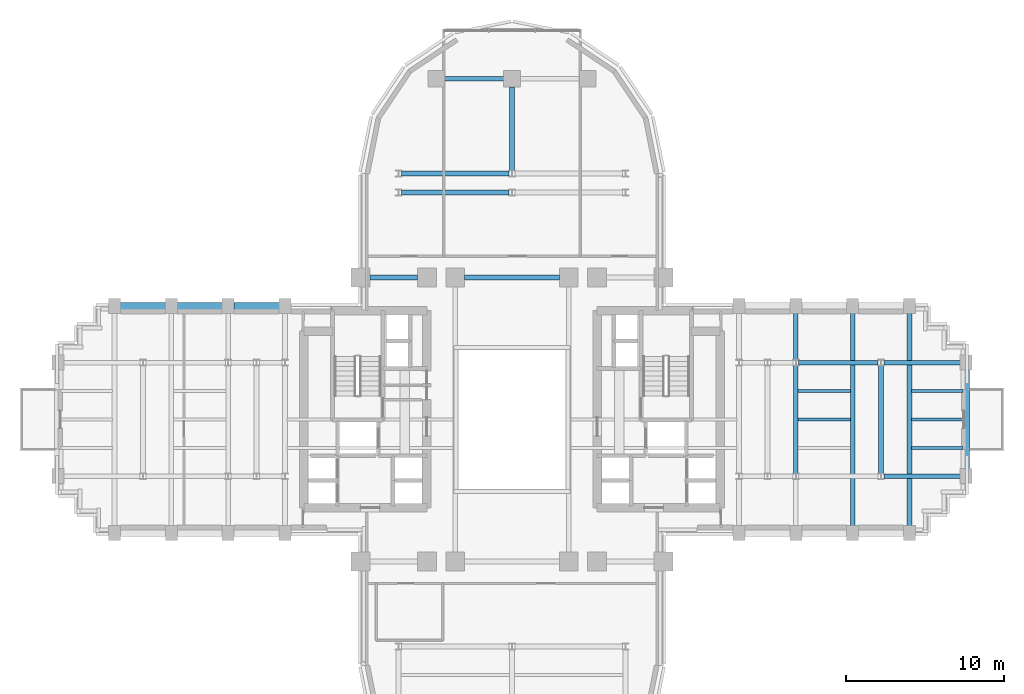
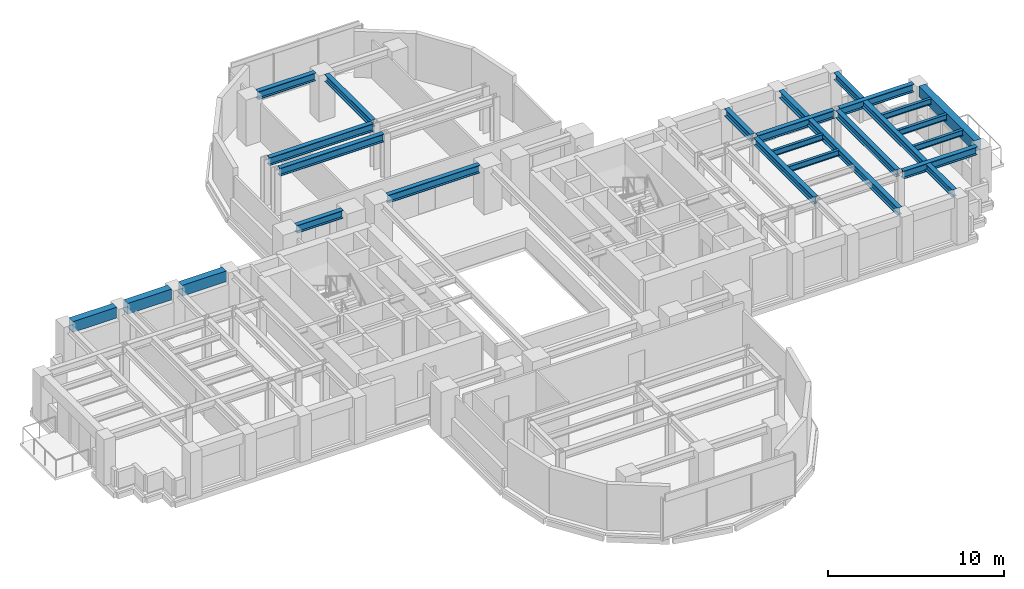
# One storey, part 6 of 14: 23 beams.
"""IFC4 building model written with IfcOpenShell, lengths in metres."""

from ifc_helpers import new_model, si_unit, direction, frame, origin, origin_2d, place, context, subcontext, project, spatial, rectangle, i_section, extrude, source, transform, mapped, material, material_profile, profile_set, type_object, element, save


model = new_model("IFC4")

# Units and contexts
model_context = context("Model", 3, precision=1e-05, world=origin(), true_north=direction((0.0, 1.0)))
body_context = subcontext(model_context, "Body", "Model", "MODEL_VIEW")
ifc_project = project(units=[si_unit("LENGTHUNIT", "METRE"), si_unit("AREAUNIT", "SQUARE_METRE"), si_unit("VOLUMEUNIT", "CUBIC_METRE"), si_unit("PLANEANGLEUNIT", "RADIAN"), si_unit("MASSUNIT", "GRAM", prefix="KILO")], contexts=[model_context])

# Site, building, storey
site_placement = place(None, origin())
site = spatial("IfcSite", under=ifc_project, at=site_placement, CompositionType="ELEMENT")
building_placement = place(site_placement, origin())
building = spatial("IfcBuilding", under=site, at=building_placement, Name="Keilestroom Media Tower", CompositionType="ELEMENT")
storey_placement = place(building_placement, frame((0.0, 0.0, 44.199951171875)))
storey = spatial("IfcBuildingStorey", under=building, at=storey_placement, Name="L10", CompositionType="ELEMENT", Elevation=44.199951171875)

# Beams
ifc_material_1 = material(Name="Precast concrete C40/50", Category="concrete")
ifc_material_profile_1 = material_profile(ifc_material_1, rectangle(XDim=0.449951171875, YDim=0.75, at=origin_2d()), Name="PC 450x750")
ifc_profile_set_1 = profile_set([ifc_material_profile_1], Name="Precast concrete C40/50")
beam_type_1 = type_object("IfcBeamType", Name="Perimeter-Spandrel-Beam-PC-450x750", PredefinedType="SPANDREL", material=ifc_profile_set_1)
shared_shape_1 = source(origin(), body_context, "Body", "SweptSolid", [
    extrude(rectangle(XDim=0.449951171875, YDim=0.75, at=origin_2d()), origin(), (0.0, 0.0, 1.0), 6.2900390625),
])
beam_1_placement = place(storey_placement, frame((28.800048828125, -3.14501953125, 2.824951171875), z_axis=(0.0, 1.0, 0.0), x_axis=(-1.0, 0.0, 0.0)))
element("IfcBeam", 1, at=beam_1_placement, inside=storey, type_object=beam_type_1, Name="L10 Beam SPB-1 BM-L10-NS-086", PredefinedType="SPANDREL", context=body_context, shape_type="MappedRepresentation", body=[
    mapped(shared_shape_1, transform((0.0, 0.0, 0.0), x_axis=(1.0, 0.0, 0.0), y_axis=(0.0, 1.0, 0.0), z_axis=(0.0, 0.0, 1.0), scale=1.0)),
])
ifc_material_2 = material(Name="Steel S355", Category="steel")
ifc_material_profile_2 = material_profile(ifc_material_2, i_section(OverallWidth=0.300048828125, OverallDepth=0.550048828125, WebThickness=0.012939453125, FlangeThickness=0.029052734375, at=origin_2d()), Name="HEB 550")
ifc_profile_set_2 = profile_set([ifc_material_profile_2], Name="Steel S355")
beam_type_2 = type_object("IfcBeamType", Name="Primary-Structural-Girder-HEB-550", PredefinedType="BEAM", material=ifc_profile_set_2)
shared_shape_2 = source(origin(), body_context, "Body", "SweptSolid", [
    extrude(i_section(OverallWidth=0.300048828125, OverallDepth=0.550048828125, WebThickness=0.012939453125, FlangeThickness=0.029052734375, at=origin_2d()), origin(), (0.0, 0.0, 1.0), 3.7900390625),
])
beam_2_placement = place(storey_placement, frame((-4.294921875, 21.60009765625, 2.925048828125), z_axis=(1.0, 0.0, 0.0), x_axis=(0.0, 1.0, 0.0)))
element("IfcBeam", 2, at=beam_2_placement, inside=storey, type_object=beam_type_2, Name="L10 Beam BG-5 BM-L10-EW-049", PredefinedType="BEAM", context=body_context, shape_type="MappedRepresentation", body=[
    mapped(shared_shape_2, transform((0.0, 0.0, 0.0), x_axis=(1.0, 0.0, 0.0), y_axis=(0.0, 1.0, 0.0), z_axis=(0.0, 0.0, 1.0), scale=1.0)),
])
shared_shape_3 = source(origin(), body_context, "Body", "SweptSolid", [
    extrude(i_section(OverallWidth=0.300048828125, OverallDepth=0.550048828125, WebThickness=0.012939453125, FlangeThickness=0.029052734375, at=origin_2d()), origin(), (0.0, 0.0, 1.0), 6.836181640625),
])
for number, where, z_axis, x_axis, name in (
    (3, (-7.01806640625, 14.39990234375, 2.925048828125), (1.0, 0.0, 0.0), (0.0, 1.0, 0.0), "L10 Beam BG-5 BM-L10-EW-045"),
    (4, (-7.01806640625, 15.60009765625, 2.925048828125), (1.0, 0.0, 0.0), (0.0, 1.0, 0.0), "L10 Beam BG-5 BM-L10-EW-047"),
):
    element("IfcBeam", number, at=place(storey_placement, frame(where, z_axis=z_axis, x_axis=x_axis)), inside=storey, type_object=beam_type_2, Name=name, PredefinedType="BEAM", context=body_context, shape_type="MappedRepresentation", body=[
        mapped(shared_shape_3, transform((0.0, 0.0, 0.0), x_axis=(1.0, 0.0, 0.0), y_axis=(0.0, 1.0, 0.0), z_axis=(0.0, 0.0, 1.0), scale=1.0)),
    ])
shared_shape_4 = source(origin(), body_context, "Body", "SweptSolid", [
    extrude(i_section(OverallWidth=0.300048828125, OverallDepth=0.550048828125, WebThickness=0.012939453125, FlangeThickness=0.029052734375, at=origin_2d()), origin(), (0.0, 0.0, 1.0), 3.0400390625),
])
beam_3_placement = place(storey_placement, frame((-9.02001953125, 9.0, 2.925048828125), z_axis=(1.0, 0.0, 0.0), x_axis=(0.0, 1.0, 0.0)))
element("IfcBeam", 5, at=beam_3_placement, inside=storey, type_object=beam_type_2, Name="L10 Beam BG-5 BM-L10-EW-040", PredefinedType="BEAM", context=body_context, shape_type="MappedRepresentation", body=[
    mapped(shared_shape_4, transform((0.0, 0.0, 0.0), x_axis=(1.0, 0.0, 0.0), y_axis=(0.0, 1.0, 0.0), z_axis=(0.0, 0.0, 1.0), scale=1.0)),
])
shared_shape_5 = source(origin(), body_context, "Body", "SweptSolid", [
    extrude(i_section(OverallWidth=0.300048828125, OverallDepth=0.550048828125, WebThickness=0.012939453125, FlangeThickness=0.029052734375, at=origin_2d()), origin(), (0.0, 0.0, 1.0), 6.0400390625),
])
beam_4_placement = place(storey_placement, frame((-3.02001953125, 9.0, 2.925048828125), z_axis=(1.0, 0.0, 0.0), x_axis=(0.0, 1.0, 0.0)))
element("IfcBeam", 6, at=beam_4_placement, inside=storey, type_object=beam_type_2, Name="L10 Beam BG-5 BM-L10-EW-042", PredefinedType="BEAM", context=body_context, shape_type="MappedRepresentation", body=[
    mapped(shared_shape_5, transform((0.0, 0.0, 0.0), x_axis=(1.0, 0.0, 0.0), y_axis=(0.0, 1.0, 0.0), z_axis=(0.0, 0.0, 1.0), scale=1.0)),
])
shared_shape_6 = source(origin(), body_context, "Body", "SweptSolid", [
    extrude(rectangle(XDim=0.449951171875, YDim=0.75, at=origin_2d()), origin(), (0.0, 0.0, 1.0), 2.889892578125),
])
beam_5_placement = place(storey_placement, frame((-24.844970703125, 7.199951171875, 2.824951171875), z_axis=(1.0, 0.0, 0.0), x_axis=(0.0, 1.0, 0.0)))
element("IfcBeam", 7, at=beam_5_placement, inside=storey, type_object=beam_type_1, Name="L10 Beam SPB-1 BM-L10-EW-034", PredefinedType="SPANDREL", context=body_context, shape_type="MappedRepresentation", body=[
    mapped(shared_shape_6, transform((0.0, 0.0, 0.0), x_axis=(1.0, 0.0, 0.0), y_axis=(0.0, 1.0, 0.0), z_axis=(0.0, 0.0, 1.0), scale=1.0)),
])
shared_shape_7 = source(origin(), body_context, "Body", "SweptSolid", [
    extrude(rectangle(XDim=0.449951171875, YDim=0.75, at=origin_2d()), origin(), (0.0, 0.0, 1.0), 2.89013671875),
])
for number, where, z_axis, x_axis, name in (
    (8, (-21.2451171875, 7.199951171875, 2.824951171875), (1.0, 0.0, 0.0), (0.0, 1.0, 0.0), "L10 Beam SPB-1 BM-L10-EW-035"),
    (9, (-17.64501953125, 7.199951171875, 2.824951171875), (1.0, 0.0, 0.0), (0.0, 1.0, 0.0), "L10 Beam SPB-1 BM-L10-EW-036"),
):
    element("IfcBeam", number, at=place(storey_placement, frame(where, z_axis=z_axis, x_axis=x_axis)), inside=storey, type_object=beam_type_1, Name=name, PredefinedType="SPANDREL", context=body_context, shape_type="MappedRepresentation", body=[
        mapped(shared_shape_7, transform((0.0, 0.0, 0.0), x_axis=(1.0, 0.0, 0.0), y_axis=(0.0, 1.0, 0.0), z_axis=(0.0, 0.0, 1.0), scale=1.0)),
    ])
shared_shape_8 = source(origin(), body_context, "Body", "SweptSolid", [
    extrude(i_section(OverallWidth=0.300048828125, OverallDepth=0.550048828125, WebThickness=0.012939453125, FlangeThickness=0.029052734375, at=origin_2d()), origin(), (0.0, 0.0, 1.0), 4.863037109375),
])
for number, where, z_axis, x_axis, name in (
    (10, (23.58203125, -3.60009765625, 2.925048828125), (1.0, 0.0, 0.0), (0.0, 1.0, 0.0), "L10 Beam BG-5 BM-L10-EW-025"),
    (11, (23.58203125, 3.60009765625, 2.925048828125), (1.0, 0.0, 0.0), (0.0, 1.0, 0.0), "L10 Beam BG-5 BM-L10-EW-033"),
):
    element("IfcBeam", number, at=place(storey_placement, frame(where, z_axis=z_axis, x_axis=x_axis)), inside=storey, type_object=beam_type_2, Name=name, PredefinedType="BEAM", context=body_context, shape_type="MappedRepresentation", body=[
        mapped(shared_shape_8, transform((0.0, 0.0, 0.0), x_axis=(1.0, 0.0, 0.0), y_axis=(0.0, 1.0, 0.0), z_axis=(0.0, 0.0, 1.0), scale=1.0)),
    ])
shared_shape_9 = source(origin(), body_context, "Body", "SweptSolid", [
    extrude(i_section(OverallWidth=0.300048828125, OverallDepth=0.550048828125, WebThickness=0.012939453125, FlangeThickness=0.029052734375, at=origin_2d()), origin(), (0.0, 0.0, 1.0), 5.0361328125),
])
beam_6_placement = place(storey_placement, frame((18.181884765625, 3.60009765625, 2.925048828125), z_axis=(1.0, 0.0, 0.0), x_axis=(0.0, 1.0, 0.0)))
element("IfcBeam", 12, at=beam_6_placement, inside=storey, type_object=beam_type_2, Name="L10 Beam BG-5 BM-L10-EW-032", PredefinedType="BEAM", context=body_context, shape_type="MappedRepresentation", body=[
    mapped(shared_shape_9, transform((0.0, 0.0, 0.0), x_axis=(1.0, 0.0, 0.0), y_axis=(0.0, 1.0, 0.0), z_axis=(0.0, 0.0, 1.0), scale=1.0)),
])
ifc_material_profile_3 = material_profile(ifc_material_2, i_section(OverallWidth=0.300048828125, OverallDepth=0.5, WebThickness=0.012451171875, FlangeThickness=0.028076171875, at=origin_2d()), Name="HEB 500")
ifc_profile_set_3 = profile_set([ifc_material_profile_3], Name="Steel S355")
beam_type_3 = type_object("IfcBeamType", Name="Primary-Structural-Girder-HEB-500", PredefinedType="BEAM", material=ifc_profile_set_3)
shared_shape_10 = source(origin(), body_context, "Body", "SweptSolid", [
    extrude(i_section(OverallWidth=0.300048828125, OverallDepth=0.5, WebThickness=0.012451171875, FlangeThickness=0.028076171875, at=origin_2d()), origin(), (0.0, 0.0, 1.0), 13.490234375),
])
for number, where, z_axis, x_axis, name in (
    (13, (21.60009765625, -6.7451171875, 2.949951171875), (0.0, 1.0, 0.0), (-1.0, 0.0, 0.0), "L10 Beam BG-6 BM-L10-NS-083"),
    (14, (25.199951171875, -6.7451171875, 2.949951171875), (0.0, 1.0, 0.0), (-1.0, 0.0, 0.0), "L10 Beam BG-6 BM-L10-NS-085"),
):
    element("IfcBeam", number, at=place(storey_placement, frame(where, z_axis=z_axis, x_axis=x_axis)), inside=storey, type_object=beam_type_3, Name=name, PredefinedType="BEAM", context=body_context, shape_type="MappedRepresentation", body=[
        mapped(shared_shape_10, transform((0.0, 0.0, 0.0), x_axis=(1.0, 0.0, 0.0), y_axis=(0.0, 1.0, 0.0), z_axis=(0.0, 0.0, 1.0), scale=1.0)),
    ])
shared_shape_11 = source(origin(), body_context, "Body", "SweptSolid", [
    extrude(i_section(OverallWidth=0.300048828125, OverallDepth=0.5, WebThickness=0.012451171875, FlangeThickness=0.028076171875, at=origin_2d()), origin(), (0.0, 0.0, 1.0), 6.8330078125),
])
for number, where, z_axis, x_axis, name in (
    (15, (18.0, -3.41650390625, 2.949951171875), (0.0, 1.0, 0.0), (-1.0, 0.0, 0.0), "L10 Beam BG-6 BM-L10-NS-081"),
    (16, (23.39990234375, -3.41650390625, 2.949951171875), (0.0, 1.0, 0.0), (-1.0, 0.0, 0.0), "L10 Beam BG-6 BM-L10-NS-084"),
):
    element("IfcBeam", number, at=place(storey_placement, frame(where, z_axis=z_axis, x_axis=x_axis)), inside=storey, type_object=beam_type_3, Name=name, PredefinedType="BEAM", context=body_context, shape_type="MappedRepresentation", body=[
        mapped(shared_shape_11, transform((0.0, 0.0, 0.0), x_axis=(1.0, 0.0, 0.0), y_axis=(0.0, 1.0, 0.0), z_axis=(0.0, 0.0, 1.0), scale=1.0)),
    ])
shared_shape_12 = source(origin(), body_context, "Body", "SweptSolid", [
    extrude(i_section(OverallWidth=0.300048828125, OverallDepth=0.5, WebThickness=0.012451171875, FlangeThickness=0.028076171875, at=origin_2d()), origin(), (0.0, 0.0, 1.0), 2.961669921875),
])
beam_7_placement = place(storey_placement, frame((18.0, 3.783447265625, 2.949951171875), z_axis=(0.0, 1.0, 0.0), x_axis=(-1.0, 0.0, 0.0)))
element("IfcBeam", 17, at=beam_7_placement, inside=storey, type_object=beam_type_3, Name="L10 Beam BG-6 BM-L10-NS-082", PredefinedType="BEAM", context=body_context, shape_type="MappedRepresentation", body=[
    mapped(shared_shape_12, transform((0.0, 0.0, 0.0), x_axis=(1.0, 0.0, 0.0), y_axis=(0.0, 1.0, 0.0), z_axis=(0.0, 0.0, 1.0), scale=1.0)),
])
shared_shape_13 = source(origin(), body_context, "Body", "SweptSolid", [
    extrude(i_section(OverallWidth=0.300048828125, OverallDepth=0.5, WebThickness=0.012451171875, FlangeThickness=0.028076171875, at=origin_2d()), origin(), (0.0, 0.0, 1.0), 5.3115234375),
])
beam_8_placement = place(storey_placement, frame((0.0, 15.783447265625, 2.949951171875), z_axis=(0.0, 1.0, 0.0), x_axis=(-1.0, 0.0, 0.0)))
element("IfcBeam", 18, at=beam_8_placement, inside=storey, type_object=beam_type_3, Name="L10 Beam BG-6 BM-L10-NS-070", PredefinedType="BEAM", context=body_context, shape_type="MappedRepresentation", body=[
    mapped(shared_shape_13, transform((0.0, 0.0, 0.0), x_axis=(1.0, 0.0, 0.0), y_axis=(0.0, 1.0, 0.0), z_axis=(0.0, 0.0, 1.0), scale=1.0)),
])
ifc_material_profile_4 = material_profile(ifc_material_2, i_section(OverallWidth=0.179931640625, OverallDepth=0.39990234375, WebThickness=0.008544921875, FlangeThickness=0.013427734375, at=origin_2d()), Name="IPE 400")
ifc_profile_set_4 = profile_set([ifc_material_profile_4], Name="Steel S355")
beam_type_4 = type_object("IfcBeamType", Name="Secondary-Floor-Joist-IPE-400", PredefinedType="JOIST", material=ifc_profile_set_4)
shared_shape_14 = source(origin(), body_context, "Body", "SweptSolid", [
    extrude(i_section(OverallWidth=0.179931640625, OverallDepth=0.39990234375, WebThickness=0.008544921875, FlangeThickness=0.013427734375, at=origin_2d()), origin(), (0.0, 0.0, 1.0), 3.264892578125),
])
for number, where, z_axis, x_axis, name in (
    (19, (25.330078125, -1.800048828125, 3.0), (1.0, 0.0, 0.0), (0.0, 1.0, 0.0), "L10 Beam BJ-4 JST-L10-095"),
    (20, (25.330078125, 0.0, 3.0), (1.0, 0.0, 0.0), (0.0, 1.0, 0.0), "L10 Beam BJ-4 JST-L10-102"),
    (21, (25.330078125, 1.800048828125, 3.0), (1.0, 0.0, 0.0), (0.0, 1.0, 0.0), "L10 Beam BJ-4 JST-L10-109"),
):
    element("IfcBeam", number, at=place(storey_placement, frame(where, z_axis=z_axis, x_axis=x_axis)), inside=storey, type_object=beam_type_4, Name=name, PredefinedType="JOIST", context=body_context, shape_type="MappedRepresentation", body=[
        mapped(shared_shape_14, transform((0.0, 0.0, 0.0), x_axis=(1.0, 0.0, 0.0), y_axis=(0.0, 1.0, 0.0), z_axis=(0.0, 0.0, 1.0), scale=1.0)),
    ])
shared_shape_15 = source(origin(), body_context, "Body", "SweptSolid", [
    extrude(i_section(OverallWidth=0.179931640625, OverallDepth=0.39990234375, WebThickness=0.008544921875, FlangeThickness=0.013427734375, at=origin_2d()), origin(), (0.0, 0.0, 1.0), 3.340087890625),
])
for number, where, z_axis, x_axis, name in (
    (22, (18.1298828125, 0.0, 3.0), (1.0, 0.0, 0.0), (0.0, 1.0, 0.0), "L10 Beam BJ-4 JST-L10-101"),
    (23, (18.1298828125, 1.800048828125, 3.0), (1.0, 0.0, 0.0), (0.0, 1.0, 0.0), "L10 Beam BJ-4 JST-L10-108"),
):
    element("IfcBeam", number, at=place(storey_placement, frame(where, z_axis=z_axis, x_axis=x_axis)), inside=storey, type_object=beam_type_4, Name=name, PredefinedType="JOIST", context=body_context, shape_type="MappedRepresentation", body=[
        mapped(shared_shape_15, transform((0.0, 0.0, 0.0), x_axis=(1.0, 0.0, 0.0), y_axis=(0.0, 1.0, 0.0), z_axis=(0.0, 0.0, 1.0), scale=1.0)),
    ])

save(model, "model.ifc")
